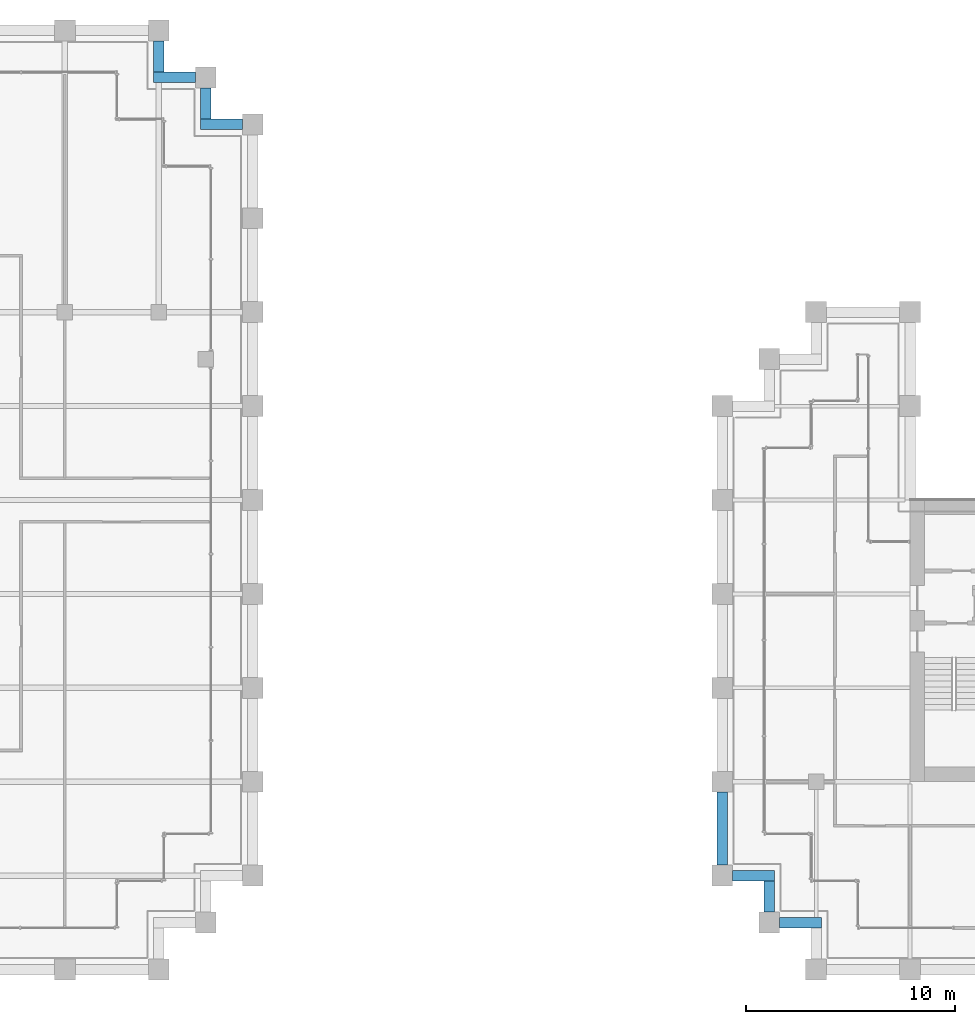
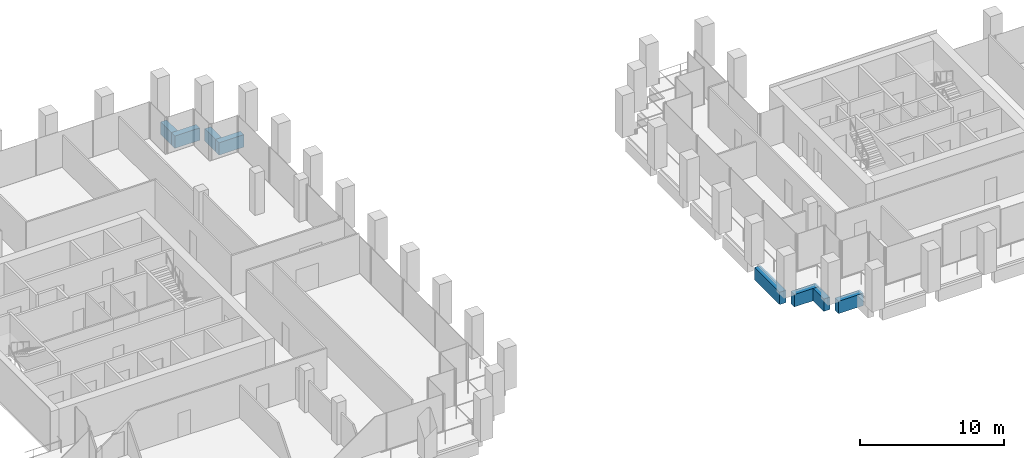
# One storey, part 27 of 46: 8 beams.
"""IFC4 building model written with IfcOpenShell, lengths in metres."""

from ifc_helpers import new_model, si_unit, direction, frame, origin, origin_2d, place, context, subcontext, project, spatial, rectangle, extrude, material, material_profile, profile_set, type_object, element, save


model = new_model("IFC4")

# Units and contexts
model_context = context("Model", 3, precision=1e-05, world=origin(), true_north=direction((0.0, 1.0)))
body_context = subcontext(model_context, "Body", "Model", "MODEL_VIEW")
ifc_project = project(units=[si_unit("LENGTHUNIT", "METRE"), si_unit("AREAUNIT", "SQUARE_METRE"), si_unit("VOLUMEUNIT", "CUBIC_METRE"), si_unit("PLANEANGLEUNIT", "RADIAN"), si_unit("MASSUNIT", "GRAM", prefix="KILO")], contexts=[model_context])

# Site, building, storey
site_placement = place(None, origin())
site = spatial("IfcSite", under=ifc_project, at=site_placement, CompositionType="ELEMENT")
building_placement = place(site_placement, origin())
building = spatial("IfcBuilding", under=site, at=building_placement, Name="Altepetl Exchange Towers", CompositionType="ELEMENT")
storey_placement = place(building_placement, frame((0.0, 0.0, 102.800048828125)))
storey = spatial("IfcBuildingStorey", under=building, at=storey_placement, Name="L25", CompositionType="ELEMENT", Elevation=102.800048828125)

# Beams
ifc_material_1 = material(Name="Concrete C50/60 precast with cantera rosa facing", Category="concrete")
ifc_material_profile_1 = material_profile(ifc_material_1, rectangle(XDim=0.5, YDim=1.050048828125, at=origin_2d()), Name="500 x 1050")
ifc_profile_set_1 = profile_set([ifc_material_profile_1], Name="Concrete C50/60 precast with cantera rosa facing")
beam_type_1 = type_object("IfcBeamType", Name="Spandrel beam 500x1050 cantera rosa", PredefinedType="SPANDREL", material=ifc_profile_set_1)
beam_1_placement = place(storey_placement, frame((71.5, 67.5, -0.675048828125), z_axis=(-1.0, 0.0, 0.0), x_axis=(0.0, -1.0, 0.0)))
element("IfcBeam", 1, at=beam_1_placement, inside=storey, type_object=beam_type_1, Name="sp:A:L25:020", PredefinedType="SPANDREL", context=body_context, shape_type="SweptSolid", body=[
    extrude(rectangle(XDim=0.5, YDim=1.050048828125, at=origin_2d()), origin(), (0.0, 0.0, 1.0), 2.0),
])
beam_2_placement = place(storey_placement, frame((69.75, 67.75, -0.675048828125), z_axis=(0.0, 1.0, 0.0), x_axis=(-1.0, 0.0, 0.0)))
element("IfcBeam", 2, at=beam_2_placement, inside=storey, type_object=beam_type_1, Name="sp:A:L25:021", PredefinedType="SPANDREL", context=body_context, shape_type="SweptSolid", body=[
    extrude(rectangle(XDim=0.5, YDim=1.050048828125, at=origin_2d()), origin(), (0.0, 0.0, 1.0), 1.5),
])
beam_3_placement = place(storey_placement, frame((69.25, 69.75, -0.675048828125), z_axis=(-1.0, 0.0, 0.0), x_axis=(0.0, -1.0, 0.0)))
element("IfcBeam", 3, at=beam_3_placement, inside=storey, type_object=beam_type_1, Name="sp:A:L25:022", PredefinedType="SPANDREL", context=body_context, shape_type="SweptSolid", body=[
    extrude(rectangle(XDim=0.5, YDim=1.050048828125, at=origin_2d()), origin(), (0.0, 0.0, 1.0), 2.0),
])
beam_4_placement = place(storey_placement, frame((67.5, 70.0, -0.675048828125), z_axis=(0.0, 1.0, 0.0), x_axis=(-1.0, 0.0, 0.0)))
element("IfcBeam", 4, at=beam_4_placement, inside=storey, type_object=beam_type_1, Name="sp:A:L25:023", PredefinedType="SPANDREL", context=body_context, shape_type="SweptSolid", body=[
    extrude(rectangle(XDim=0.5, YDim=1.050048828125, at=origin_2d()), origin(), (0.0, 0.0, 1.0), 1.5),
])
ifc_material_2 = material(Name="Concrete C50/60 precast with tezontle facing", Category="concrete")
ifc_material_profile_2 = material_profile(ifc_material_2, rectangle(XDim=0.5, YDim=1.050048828125, at=origin_2d()), Name="500 x 1050")
ifc_profile_set_2 = profile_set([ifc_material_profile_2], Name="Concrete C50/60 precast with tezontle facing")
beam_type_2 = type_object("IfcBeamType", Name="Spandrel beam 500x1050 tezontle", PredefinedType="SPANDREL", material=ifc_profile_set_2)
beam_5_placement = place(storey_placement, frame((94.5, 35.5, -0.675048828125), z_axis=(0.0, -1.0, 0.0), x_axis=(1.0, 0.0, 0.0)))
element("IfcBeam", 5, at=beam_5_placement, inside=storey, type_object=beam_type_2, Name="sp:B:L25:026", PredefinedType="SPANDREL", context=body_context, shape_type="SweptSolid", body=[
    extrude(rectangle(XDim=0.5, YDim=1.050048828125, at=origin_2d()), origin(), (0.0, 0.0, 1.0), 3.5),
])
beam_6_placement = place(storey_placement, frame((95.0, 31.5, -0.675048828125), z_axis=(1.0, 0.0, 0.0), x_axis=(0.0, 1.0, 0.0)))
element("IfcBeam", 6, at=beam_6_placement, inside=storey, type_object=beam_type_2, Name="sp:B:L25:027", PredefinedType="SPANDREL", context=body_context, shape_type="SweptSolid", body=[
    extrude(rectangle(XDim=0.5, YDim=1.050048828125, at=origin_2d()), origin(), (0.0, 0.0, 1.0), 2.0),
])
beam_7_placement = place(storey_placement, frame((96.75, 31.25, -0.675048828125), z_axis=(0.0, -1.0, 0.0), x_axis=(1.0, 0.0, 0.0)))
element("IfcBeam", 7, at=beam_7_placement, inside=storey, type_object=beam_type_2, Name="sp:B:L25:028", PredefinedType="SPANDREL", context=body_context, shape_type="SweptSolid", body=[
    extrude(rectangle(XDim=0.5, YDim=1.050048828125, at=origin_2d()), origin(), (0.0, 0.0, 1.0), 1.5),
])
beam_8_placement = place(storey_placement, frame((97.25, 29.25, -0.675048828125), z_axis=(1.0, 0.0, 0.0), x_axis=(0.0, 1.0, 0.0)))
element("IfcBeam", 8, at=beam_8_placement, inside=storey, type_object=beam_type_2, Name="sp:B:L25:029", PredefinedType="SPANDREL", context=body_context, shape_type="SweptSolid", body=[
    extrude(rectangle(XDim=0.5, YDim=1.050048828125, at=origin_2d()), origin(), (0.0, 0.0, 1.0), 2.0),
])

save(model, "model.ifc")
